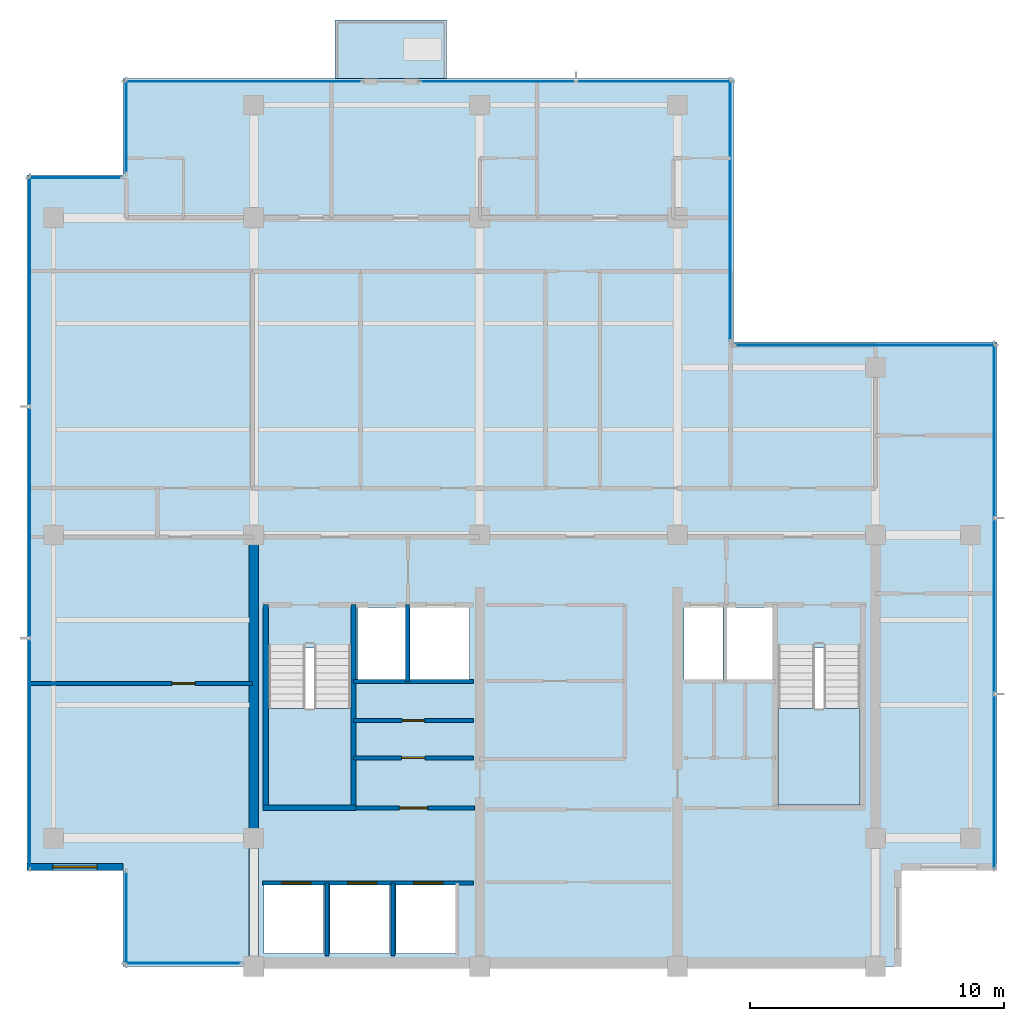
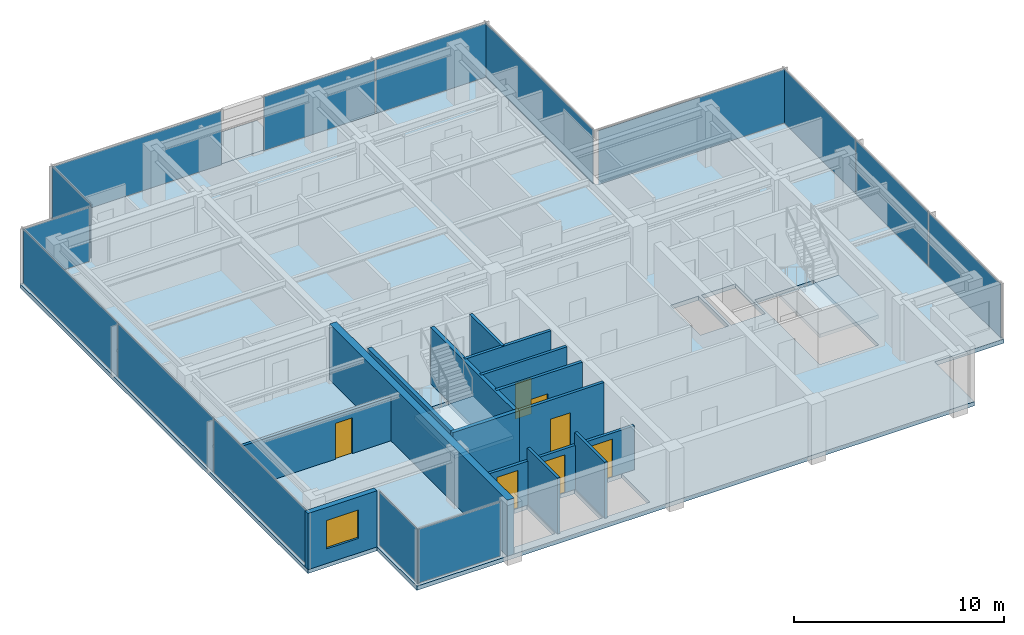
# One storey, part 5 of 11: 15 plates, 14 walls, 7 doors, 4 slabs, 1 window, 8 openings, 12 elements without a shape of their own.
"""IFC4 building model written with IfcOpenShell, lengths in metres."""

import ifcopenshell
import ifcopenshell.guid

model = None  # the IFC model being written
_history = None  # IfcOwnerHistory: only IFC2X3 demands one
_inside = {}  # id of a spatial element -> (the spatial element, [elements in it])
_under = {}  # id of a project, library or spatial element -> (it, [spatial elements below it])
_declared = {}  # id of a project -> (the project, [libraries it declares])
_typed = {}  # id of a type object -> (the type object, [elements of that type])
_made_of = {}  # id of a material, layer set ... -> (it, [elements and type objects made of it])


def new_model(schema):
    """Start an empty IFC model of exactly this schema.

    Asked for "IFC4X3", IfcOpenShell would pick the latest addendum, in which some entities
    have other attributes; the version numbers below select the first issue.
    IFC2X3 requires an IfcOwnerHistory on every rooted entity: one is made here for all.
    """
    global model, _history
    if schema == "IFC4X3":
        model = ifcopenshell.file(schema_version=(4, 3, 0, 0))
    else:
        model = ifcopenshell.file(schema=schema)
    _inside.clear()
    _under.clear()
    _declared.clear()
    _typed.clear()
    _made_of.clear()
    _history = None
    if model.schema == "IFC2X3":
        org = make("IfcOrganization", Name="unknown")
        user = make(
            "IfcPersonAndOrganization",
            ThePerson=make("IfcPerson", FamilyName="unknown"),
            TheOrganization=org,
        )
        app = make(
            "IfcApplication",
            ApplicationDeveloper=org,
            Version="unknown",
            ApplicationFullName="unknown",
            ApplicationIdentifier="unknown",
        )
        _history = make(
            "IfcOwnerHistory",
            OwningUser=user,
            OwningApplication=app,
            ChangeAction="ADDED",
            CreationDate=0,
        )
    return model


def make(cls, **values):
    """One entity of the class cls with the attributes given. An attribute that is None is left unset."""
    return model.create_entity(
        cls, **{name: value for name, value in values.items() if value is not None}
    )


def rooted(cls, **values):
    """An entity with a GlobalId (a new one), such as an element, a storey or a relation."""
    return make(cls, GlobalId=ifcopenshell.guid.new(), OwnerHistory=_history, **values)


def si_unit(unit_type, name, prefix=None):
    """IfcSIUnit, for example si_unit("LENGTHUNIT", "METRE", prefix="MILLI")."""
    return make("IfcSIUnit", UnitType=unit_type, Prefix=prefix, Name=name)


def assignment(units):
    """IfcUnitAssignment: the units of a project."""
    return None if units is None else make("IfcUnitAssignment", Units=units)


def point(xyz):
    """IfcCartesianPoint."""
    return None if xyz is None else make("IfcCartesianPoint", Coordinates=xyz)


def direction(xyz):
    """IfcDirection."""
    return None if xyz is None else make("IfcDirection", DirectionRatios=xyz)


def frame(location, z_axis=None, x_axis=None):
    """IfcAxis2Placement3D, a coordinate frame: its origin and axes. An axis left out is left unset."""
    return make(
        "IfcAxis2Placement3D",
        Location=point(location),
        Axis=direction(z_axis),
        RefDirection=direction(x_axis),
    )


def frame_2d(location, x_axis=None):
    """IfcAxis2Placement2D, a coordinate frame in the plane: its origin and x axis."""
    return make(
        "IfcAxis2Placement2D", Location=point(location), RefDirection=direction(x_axis)
    )


def origin():
    """The frame at (0, 0, 0) with its axes left unset."""
    return frame((0.0, 0.0, 0.0))


def origin_2d():
    """The frame at (0, 0) in the plane with its x axis left unset."""
    return frame_2d((0.0, 0.0))


def place(relative_to, where):
    """IfcLocalPlacement: puts the frame where relative to a parent placement (None: the world)."""
    return make(
        "IfcLocalPlacement", PlacementRelTo=relative_to, RelativePlacement=where
    )


def context(
    kind, dimensions, precision=None, world=None, true_north=None, identifier=None
):
    """IfcGeometricRepresentationContext, for example the 3D "Model" context."""
    return make(
        "IfcGeometricRepresentationContext",
        ContextIdentifier=identifier,
        ContextType=kind,
        CoordinateSpaceDimension=dimensions,
        Precision=precision,
        WorldCoordinateSystem=world,
        TrueNorth=true_north,
    )


def subcontext(parent, identifier, kind, view, scale=None):
    """IfcGeometricRepresentationSubContext, for example "Body" below "Model"."""
    return make(
        "IfcGeometricRepresentationSubContext",
        ContextIdentifier=identifier,
        ContextType=kind,
        ParentContext=parent,
        TargetScale=scale,
        TargetView=view,
    )


def project(units=None, contexts=None):
    """IfcProject with its units and contexts."""
    return rooted(
        "IfcProject",
        Name="project",
        RepresentationContexts=contexts,
        UnitsInContext=assignment(units),
    )


def spatial(cls, under=None, at=None, **own):
    """A site, building, storey or space (cls), placed at a placement, below another one or the project."""
    s = rooted(cls, ObjectPlacement=at, **own)
    if under is not None:
        _under.setdefault(under.id(), (under, []))[1].append(s)
    return s


def polyline(points):
    """IfcPolyline through the points."""
    return make("IfcPolyline", Points=[point(p) for p in points])


def profile(cls, at=None, kind="AREA", **sizes):
    """A parametric profile (cls). Its sizes go by their IFC names, for example OverallWidth=200.0."""
    return make(cls, ProfileType=kind, Position=at, **sizes)


def rectangle(**sizes):
    """IfcRectangleProfileDef."""
    return profile("IfcRectangleProfileDef", **sizes)


def outline(outer, holes=None, kind="AREA"):
    """IfcArbitraryClosedProfileDef: a profile drawn as a closed curve; with holes, ...WithVoids."""
    if holes is None:
        return make("IfcArbitraryClosedProfileDef", ProfileType=kind, OuterCurve=outer)
    return make(
        "IfcArbitraryProfileDefWithVoids",
        ProfileType=kind,
        OuterCurve=outer,
        InnerCurves=holes,
    )


def extrude(swept, where, along, depth):
    """IfcExtrudedAreaSolid: the profile swept, set in the frame where, extruded along a direction by depth."""
    return make(
        "IfcExtrudedAreaSolid",
        SweptArea=swept,
        Position=where,
        ExtrudedDirection=direction(along),
        Depth=depth,
    )


def shape(context_of_items, identifier, shape_type, items):
    """IfcShapeRepresentation: the items that make up one representation, for example the "Body"."""
    return make(
        "IfcShapeRepresentation",
        ContextOfItems=context_of_items,
        RepresentationIdentifier=identifier,
        RepresentationType=shape_type,
        Items=items,
    )


def material(Name=None, Category=None):
    """IfcMaterial."""
    return make("IfcMaterial", Name=Name, Category=Category)


def layer(
    of_material, thickness, ventilated=None, Name=None, Category=None, Priority=None
):
    """IfcMaterialLayer: one layer of a wall or slab, of a material (None: an air gap)."""
    return make(
        "IfcMaterialLayer",
        Material=of_material,
        LayerThickness=thickness,
        IsVentilated=ventilated,
        Name=Name,
        Category=Category,
        Priority=Priority,
    )


def layer_set(layers, Name=None):
    """IfcMaterialLayerSet."""
    return make("IfcMaterialLayerSet", MaterialLayers=layers, LayerSetName=Name)


def made_of(thing, what):
    """Note that an element or type object is made of a material, layer set ...; save() writes the relation."""
    if what is not None:
        _made_of.setdefault(what.id(), (what, []))[1].append(thing)
    return thing


def type_object(cls, material=None, **own):
    """A type object (cls), such as IfcWallType, which elements share."""
    return made_of(rooted(cls, **own), material)


def element(
    cls,
    number,
    at=None,
    inside=None,
    cuts=None,
    type_object=None,
    material=None,
    context=None,
    identifier="Body",
    shape_type=None,
    held_by="IfcProductDefinitionShape",
    body=None,
    shapes=None,
    **own,
):
    """One element of the class cls, such as IfcWall. Its Tag is "e" and its number.

    at: its placement. inside: the storey or other place that contains it. cuts: it is an
    opening in that element (IfcRelVoidsElement). A single representation is given by context,
    identifier, shape_type and body (its items); several are given by shapes. held_by: the class
    of the entity that holds the representations. save() writes the other relations.
    """
    e = rooted(cls, Tag="e%d" % number, ObjectPlacement=at, **own)
    if body is not None:
        shapes = [shape(context, identifier, shape_type, body)]
    if shapes is not None:
        e.Representation = make(held_by, Representations=shapes)
    if inside is not None:
        _inside.setdefault(inside.id(), (inside, []))[1].append(e)
    if cuts is not None:
        rooted(
            "IfcRelVoidsElement", RelatingBuildingElement=cuts, RelatedOpeningElement=e
        )
    if type_object is not None:
        _typed.setdefault(type_object.id(), (type_object, []))[1].append(e)
    return made_of(e, material)


def fill(opening, filler):
    """IfcRelFillsElement: the door or window that sits in an opening."""
    return rooted(
        "IfcRelFillsElement",
        RelatingOpeningElement=opening,
        RelatedBuildingElement=filler,
    )


def aggregate(whole, parts):
    """IfcRelAggregates: a whole, such as a stair, and the parts it consists of."""
    return rooted("IfcRelAggregates", RelatingObject=whole, RelatedObjects=parts)


def save(model, path):
    """Write the relations noted so far, then the file.

    IfcRelAggregates (storeys below a building ...), IfcRelContainedInSpatialStructure (elements
    in a storey), IfcRelDefinesByType, IfcRelAssociatesMaterial and IfcRelDeclares: one each for
    every whole, place, type object, material and project.
    """
    for whole, parts in _under.values():
        aggregate(whole, parts)
    for where, things in _inside.values():
        rooted(
            "IfcRelContainedInSpatialStructure",
            RelatedElements=things,
            RelatingStructure=where,
        )
    for kind, things in _typed.values():
        rooted("IfcRelDefinesByType", RelatedObjects=things, RelatingType=kind)
    for what, things in _made_of.values():
        rooted("IfcRelAssociatesMaterial", RelatedObjects=things, RelatingMaterial=what)
    for by, libraries in _declared.values():
        rooted("IfcRelDeclares", RelatingContext=by, RelatedDefinitions=libraries)
    model.write(path)


model = new_model("IFC4")

# Units and contexts
model_context = context("Model", 3, precision=1e-05, world=origin(), true_north=direction((0.0, 1.0)))
body_context = subcontext(model_context, "Body", "Model", "MODEL_VIEW")
ifc_project = project(units=[si_unit("LENGTHUNIT", "METRE"), si_unit("AREAUNIT", "SQUARE_METRE"), si_unit("VOLUMEUNIT", "CUBIC_METRE"), si_unit("PLANEANGLEUNIT", "RADIAN"), si_unit("MASSUNIT", "GRAM", prefix="KILO")], contexts=[model_context])

# Site, building, storey
site_placement = place(None, origin())
site = spatial("IfcSite", under=ifc_project, at=site_placement, CompositionType="ELEMENT")
building_placement = place(site_placement, origin())
building = spatial("IfcBuilding", under=site, at=building_placement, Name="Qalmaran Belvedere Hotel", CompositionType="ELEMENT")
storey_placement = place(building_placement, frame((0.0, 0.0, 245.89990234375)))
storey = spatial("IfcBuildingStorey", under=building, at=storey_placement, Name="L63", CompositionType="ELEMENT", Elevation=245.89990234375)

# Curtain wall, plate
ifc_material_1 = material(Name="Anodised Bronze Aluminium", Category="aluminium")
ifc_layer_1 = layer(ifc_material_1, 0.18505859375, Name="Anodised Bronze Aluminium")
ifc_layer_set_1 = layer_set([ifc_layer_1], Name="Anodised Bronze Aluminium")
curtain_wall_type = type_object("IfcCurtainWallType", Name="CW6-TOWER-SKY", PredefinedType="NOTDEFINED", material=ifc_layer_set_1)
curtain_wall_1_placement = place(storey_placement, origin())
curtain_wall_1 = element("IfcCurtainWall", 1, at=curtain_wall_1_placement, inside=storey, type_object=curtain_wall_type, Name="L63 Curtain Wall CW6", PredefinedType="NOTDEFINED")
ifc_material_2 = material(Name="Solar-Control Double Glazing", Category="glass")
ifc_layer_2 = layer(ifc_material_2, 0.028076171875, Name="Solar-Control Double Glazing")
ifc_layer_set_2 = layer_set([ifc_layer_2], Name="Solar-Control Double Glazing")
plate_type = type_object("IfcPlateType", Name="CWP-VISION-28", PredefinedType="CURTAIN_PANEL", material=ifc_layer_set_2)
plate_1_placement = place(storey_placement, frame((17.5048828125, 3.6201171875, 0.065185546875), z_axis=(0.0, 0.0, 1.0), x_axis=(1.0, 0.0, 0.0)))
plate_1 = element("IfcPlate", 2, at=plate_1_placement, type_object=plate_type, Name="CW6 panel 1.1", PredefinedType="CURTAIN_PANEL", context=body_context, shape_type="SweptSolid", body=[
    extrude(rectangle(XDim=4.580078125, YDim=0.028076171875, at=origin_2d()), origin(), (0.0, 0.0, 1.0), 3.1298828125),
])
aggregate(curtain_wall_1, [plate_1])

# Curtain wall, plates
curtain_wall_2_placement = place(storey_placement, origin())
curtain_wall_2 = element("IfcCurtainWall", 3, at=curtain_wall_2_placement, inside=storey, type_object=curtain_wall_type, Name="L63 Curtain Wall CW6", PredefinedType="NOTDEFINED")
plate_2_placement = place(storey_placement, frame((49.47998046875, 10.782958984375, 0.065185546875), z_axis=(0.0, 0.0, 1.0), x_axis=(0.0, 1.0, 0.0)))
plate_2 = element("IfcPlate", 4, at=plate_2_placement, type_object=plate_type, Name="CW6 panel 1.1", PredefinedType="CURTAIN_PANEL", context=body_context, shape_type="SweptSolid", body=[
    extrude(rectangle(XDim=6.8359375, YDim=0.028076171875, at=origin_2d()), origin(), (0.0, 0.0, 1.0), 3.1298828125),
])
plate_3_placement = place(storey_placement, frame((49.47998046875, 17.699951171875, 0.065185546875), z_axis=(0.0, 0.0, 1.0), x_axis=(0.0, 1.0, 0.0)))
plate_3 = element("IfcPlate", 5, at=plate_3_placement, type_object=plate_type, Name="CW6 panel 2.1", PredefinedType="CURTAIN_PANEL", context=body_context, shape_type="SweptSolid", body=[
    extrude(rectangle(XDim=6.868408203125, YDim=0.028076171875, at=origin_2d()), origin(), (0.0, 0.0, 1.0), 3.1298828125),
])
plate_4_placement = place(storey_placement, frame((49.47998046875, 24.6171875, 0.065185546875), z_axis=(0.0, 0.0, 1.0), x_axis=(0.0, 1.0, 0.0)))
plate_4 = element("IfcPlate", 6, at=plate_4_placement, type_object=plate_type, Name="CW6 panel 3.1", PredefinedType="CURTAIN_PANEL", context=body_context, shape_type="SweptSolid", body=[
    extrude(rectangle(XDim=6.8359375, YDim=0.028076171875, at=origin_2d()), origin(), (0.0, 0.0, 1.0), 3.1298828125),
])
aggregate(curtain_wall_2, [plate_2, plate_3, plate_4])

# Curtain wall, plate
curtain_wall_3_placement = place(storey_placement, origin())
curtain_wall_3 = element("IfcCurtainWall", 7, at=curtain_wall_3_placement, inside=storey, type_object=curtain_wall_type, Name="L63 Curtain Wall CW6", PredefinedType="NOTDEFINED")
plate_5_placement = place(storey_placement, frame((44.39990234375, 27.97998046875, 0.065185546875), z_axis=(0.0, 0.0, 1.0), x_axis=(-1.0, 0.0, 0.0)))
plate_5 = element("IfcPlate", 8, at=plate_5_placement, type_object=plate_type, Name="CW6 panel 1.1", PredefinedType="CURTAIN_PANEL", context=body_context, shape_type="SweptSolid", body=[
    extrude(rectangle(XDim=10.27001953125, YDim=0.028076171875, at=origin_2d()), origin(), (0.0, 0.0, 1.0), 3.1298828125),
])
aggregate(curtain_wall_3, [plate_5])

curtain_wall_4_placement = place(storey_placement, origin())
curtain_wall_4 = element("IfcCurtainWall", 9, at=curtain_wall_4_placement, inside=storey, type_object=curtain_wall_type, Name="L63 Curtain Wall CW6", PredefinedType="NOTDEFINED")
plate_6_placement = place(storey_placement, frame((39.080078125, 33.300048828125, 0.065185546875), z_axis=(0.0, 0.0, 1.0), x_axis=(0.0, 1.0, 0.0)))
plate_6 = element("IfcPlate", 10, at=plate_6_placement, type_object=plate_type, Name="CW6 panel 1.1", PredefinedType="CURTAIN_PANEL", context=body_context, shape_type="SweptSolid", body=[
    extrude(rectangle(XDim=10.27001953125, YDim=0.028076171875, at=origin_2d()), origin(), (0.0, 0.0, 1.0), 3.1298828125),
])
aggregate(curtain_wall_4, [plate_6])

curtain_wall_5_placement = place(storey_placement, origin())
curtain_wall_5 = element("IfcCurtainWall", 11, at=curtain_wall_5_placement, inside=storey, type_object=curtain_wall_type, Name="L63 Curtain Wall CW6", PredefinedType="NOTDEFINED")
plate_7_placement = place(storey_placement, frame((19.875, 38.3798828125, 0.065185546875), z_axis=(0.0, 0.0, 1.0), x_axis=(-1.0, 0.0, 0.0)))
plate_7 = element("IfcPlate", 12, at=plate_7_placement, type_object=plate_type, Name="CW6 panel 1.1", PredefinedType="CURTAIN_PANEL", context=body_context, shape_type="SweptSolid", body=[
    extrude(rectangle(XDim=9.320068359375, YDim=0.028076171875, at=origin_2d()), origin(), (0.0, 0.0, 1.0), 3.1298828125),
])
aggregate(curtain_wall_5, [plate_7])

# Curtain wall, plates
curtain_wall_6_placement = place(storey_placement, origin())
curtain_wall_6 = element("IfcCurtainWall", 13, at=curtain_wall_6_placement, inside=storey, type_object=curtain_wall_type, Name="L63 Curtain Wall CW6", PredefinedType="NOTDEFINED")
plate_8_placement = place(storey_placement, frame((36.083740234375, 38.3798828125, 0.065185546875), z_axis=(0.0, 0.0, 1.0), x_axis=(-1.0, 0.0, 0.0)))
plate_8 = element("IfcPlate", 14, at=plate_8_placement, type_object=plate_type, Name="CW6 panel 1.1", PredefinedType="CURTAIN_PANEL", context=body_context, shape_type="SweptSolid", body=[
    extrude(rectangle(XDim=6.1025390625, YDim=0.028076171875, at=origin_2d()), origin(), (0.0, 0.0, 1.0), 3.1298828125),
])
plate_9_placement = place(storey_placement, frame((29.916259765625, 38.3798828125, 0.065185546875), z_axis=(0.0, 0.0, 1.0), x_axis=(-1.0, 0.0, 0.0)))
plate_9 = element("IfcPlate", 15, at=plate_9_placement, type_object=plate_type, Name="CW6 panel 2.1", PredefinedType="CURTAIN_PANEL", context=body_context, shape_type="SweptSolid", body=[
    extrude(rectangle(XDim=6.1025390625, YDim=0.028076171875, at=origin_2d()), origin(), (0.0, 0.0, 1.0), 3.1298828125),
])
aggregate(curtain_wall_6, [plate_8, plate_9])

# Curtain wall, plate
curtain_wall_7_placement = place(storey_placement, origin())
curtain_wall_7 = element("IfcCurtainWall", 16, at=curtain_wall_7_placement, inside=storey, type_object=curtain_wall_type, Name="L63 Curtain Wall CW6", PredefinedType="NOTDEFINED")
plate_10_placement = place(storey_placement, frame((15.27001953125, 36.60009765625, 0.065185546875), z_axis=(0.0, 0.0, 1.0), x_axis=(0.0, -1.0, 0.0)))
plate_10 = element("IfcPlate", 17, at=plate_10_placement, type_object=plate_type, Name="CW6 panel 1.1", PredefinedType="CURTAIN_PANEL", context=body_context, shape_type="SweptSolid", body=[
    extrude(rectangle(XDim=3.669921875, YDim=0.028076171875, at=origin_2d()), origin(), (0.0, 0.0, 1.0), 3.1298828125),
])
aggregate(curtain_wall_7, [plate_10])

curtain_wall_8_placement = place(storey_placement, origin())
curtain_wall_8 = element("IfcCurtainWall", 18, at=curtain_wall_8_placement, inside=storey, type_object=curtain_wall_type, Name="L63 Curtain Wall CW6", PredefinedType="NOTDEFINED")
plate_11_placement = place(storey_placement, frame((13.25, 34.580078125, 0.065185546875), z_axis=(0.0, 0.0, 1.0), x_axis=(-1.0, 0.0, 0.0)))
plate_11 = element("IfcPlate", 19, at=plate_11_placement, type_object=plate_type, Name="CW6 panel 1.1", PredefinedType="CURTAIN_PANEL", context=body_context, shape_type="SweptSolid", body=[
    extrude(rectangle(XDim=3.669921875, YDim=0.028076171875, at=origin_2d()), origin(), (0.0, 0.0, 1.0), 3.1298828125),
])
aggregate(curtain_wall_8, [plate_11])

# Curtain wall, plates
curtain_wall_9_placement = place(storey_placement, origin())
curtain_wall_9 = element("IfcCurtainWall", 20, at=curtain_wall_9_placement, inside=storey, type_object=curtain_wall_type, Name="L63 Curtain Wall CW6", PredefinedType="NOTDEFINED")
plate_12_placement = place(storey_placement, frame((11.469970703125, 30.1171875, 0.065185546875), z_axis=(0.0, 0.0, 1.0), x_axis=(0.0, -1.0, 0.0)))
plate_12 = element("IfcPlate", 21, at=plate_12_placement, type_object=plate_type, Name="CW6 panel 1.1", PredefinedType="CURTAIN_PANEL", context=body_context, shape_type="SweptSolid", body=[
    extrude(rectangle(XDim=9.035888671875, YDim=0.028076171875, at=origin_2d()), origin(), (0.0, 0.0, 1.0), 3.1298828125),
])
plate_13_placement = place(storey_placement, frame((11.469970703125, 21.0, 0.065185546875), z_axis=(0.0, 0.0, 1.0), x_axis=(0.0, -1.0, 0.0)))
plate_13 = element("IfcPlate", 22, at=plate_13_placement, type_object=plate_type, Name="CW6 panel 2.1", PredefinedType="CURTAIN_PANEL", context=body_context, shape_type="SweptSolid", body=[
    extrude(rectangle(XDim=9.068359375, YDim=0.028076171875, at=origin_2d()), origin(), (0.0, 0.0, 1.0), 3.1298828125),
])
plate_14_placement = place(storey_placement, frame((11.469970703125, 11.8828125, 0.065185546875), z_axis=(0.0, 0.0, 1.0), x_axis=(0.0, -1.0, 0.0)))
plate_14 = element("IfcPlate", 23, at=plate_14_placement, type_object=plate_type, Name="CW6 panel 3.1", PredefinedType="CURTAIN_PANEL", context=body_context, shape_type="SweptSolid", body=[
    extrude(rectangle(XDim=9.035888671875, YDim=0.028076171875, at=origin_2d()), origin(), (0.0, 0.0, 1.0), 3.1298828125),
])
aggregate(curtain_wall_9, [plate_12, plate_13, plate_14])

# Curtain wall, plate
curtain_wall_10_placement = place(storey_placement, origin())
curtain_wall_10 = element("IfcCurtainWall", 24, at=curtain_wall_10_placement, inside=storey, type_object=curtain_wall_type, Name="L63 Curtain Wall CW6", PredefinedType="NOTDEFINED")
plate_15_placement = place(storey_placement, frame((15.27001953125, 5.39990234375, 0.065185546875), z_axis=(0.0, 0.0, 1.0), x_axis=(0.0, -1.0, 0.0)))
plate_15 = element("IfcPlate", 25, at=plate_15_placement, type_object=plate_type, Name="CW6 panel 1.1", PredefinedType="CURTAIN_PANEL", context=body_context, shape_type="SweptSolid", body=[
    extrude(rectangle(XDim=3.669921875, YDim=0.028076171875, at=origin_2d()), origin(), (0.0, 0.0, 1.0), 3.1298828125),
])
aggregate(curtain_wall_10, [plate_15])

# Slab
ifc_material_3 = material(Name="Concrete C40/50", Category="concrete")
ifc_layer_3 = layer(ifc_material_3, 0.219970703125, Name="Concrete C40/50")
ifc_layer_set_3 = layer_set([ifc_layer_3], Name="Concrete C40/50")
slab_type_1 = type_object("IfcSlabType", Name="SLB-BAL-220", PredefinedType="USERDEFINED", material=ifc_layer_set_3)
slab_1_placement = place(storey_placement, frame((0.0, 0.0, -0.219970703125)))
element("IfcSlab", 26, at=slab_1_placement, inside=storey, type_object=slab_type_1, Name="L63 Planted Tree Balcony Slab 1", ObjectType="BALCONY", PredefinedType="USERDEFINED", context=body_context, shape_type="SweptSolid", body=[
    extrude(outline(polyline([(23.5, 38.5), (27.89990234375, 38.5), (27.89990234375, 40.800048828125), (23.5, 40.800048828125), (23.5, 38.5)])), origin(), (0.0, 0.0, 1.0), 0.219970703125),
])

# Stair, slab
stair_type_1 = type_object("IfcStairType", Name="STR-ST-1-1450-R1750", PredefinedType="HALF_TURN_STAIR", material=ifc_material_3)
stair_1_placement = place(storey_placement, origin())
stair_1 = element("IfcStair", 27, at=stair_1_placement, inside=storey, type_object=stair_type_1, Name="L63 West Core Exit Stair ST-1", PredefinedType="HALF_TURN_STAIR")
ifc_layer_4 = layer(ifc_material_3, 0.199951171875, Name="Concrete C40/50")
ifc_layer_set_4 = layer_set([ifc_layer_4], Name="Concrete C40/50")
slab_type_2 = type_object("IfcSlabType", Name="SLB-STAIR-LANDING-200", PredefinedType="LANDING", material=ifc_layer_set_4)
slab_2_placement = place(storey_placement, frame((0.0, 0.0, 1.550048828125)))
slab_2 = element("IfcSlab", 28, at=slab_2_placement, type_object=slab_type_2, Name="ST-1 landing 1", PredefinedType="LANDING", context=body_context, shape_type="SweptSolid", body=[
    extrude(outline(polyline([(20.8798828125, 13.669921875), (20.8798828125, 9.85009765625), (24.1201171875, 9.85009765625), (24.1201171875, 13.669921875), (20.8798828125, 13.669921875)])), origin(), (0.0, 0.0, 1.0), 0.199951171875),
])
aggregate(stair_1, [slab_2])

stair_type_2 = type_object("IfcStairType", Name="STR-ST-2-1450-R1750", PredefinedType="HALF_TURN_STAIR", material=ifc_material_3)
stair_2_placement = place(storey_placement, origin())
stair_2 = element("IfcStair", 29, at=stair_2_placement, inside=storey, type_object=stair_type_2, Name="L63 East Core Exit Stair ST-2", PredefinedType="HALF_TURN_STAIR")
slab_3_placement = place(storey_placement, frame((0.0, 0.0, 1.550048828125)))
slab_3 = element("IfcSlab", 30, at=slab_3_placement, type_object=slab_type_2, Name="ST-2 landing 1", PredefinedType="LANDING", context=body_context, shape_type="SweptSolid", body=[
    extrude(outline(polyline([(40.9599609375, 13.669921875), (40.9599609375, 9.85009765625), (44.199951171875, 9.85009765625), (44.199951171875, 13.669921875), (40.9599609375, 13.669921875)])), origin(), (0.0, 0.0, 1.0), 0.199951171875),
])
aggregate(stair_2, [slab_3])

# Slab
ifc_layer_5 = layer(ifc_material_3, 0.239990234375, Name="Concrete C40/50")
ifc_layer_set_5 = layer_set([ifc_layer_5], Name="Concrete C40/50")
slab_type_3 = type_object("IfcSlabType", Name="SLB-Z4-240", PredefinedType="FLOOR", material=ifc_layer_set_5)
slab_4_placement = place(storey_placement, frame((0.0, 0.0, -0.239990234375)))
element("IfcSlab", 31, at=slab_4_placement, inside=storey, type_object=slab_type_3, Name="L63 Structural Floor Slab", PredefinedType="FLOOR", context=body_context, shape_type="SweptSolid", body=[
    extrude(outline(polyline([(15.14990234375, 3.5), (45.800048828125, 3.5), (45.800048828125, 7.300048828125), (49.60009765625, 7.300048828125), (49.60009765625, 28.10009765625), (39.199951171875, 28.10009765625), (39.199951171875, 38.5), (15.14990234375, 38.5), (15.14990234375, 34.699951171875), (11.35009765625, 34.699951171875), (11.35009765625, 7.300048828125), (15.14990234375, 7.300048828125), (15.14990234375, 3.5)]), holes=[polyline([(20.8798828125, 9.85009765625), (24.1201171875, 9.85009765625), (24.1201171875, 16.0400390625), (20.8798828125, 16.0400390625), (20.8798828125, 9.85009765625)]), polyline([(40.9599609375, 9.85009765625), (44.199951171875, 9.85009765625), (44.199951171875, 16.0400390625), (40.9599609375, 16.0400390625), (40.9599609375, 9.85009765625)]), polyline([(20.699951171875, 4.0), (23.050048828125, 4.0), (23.050048828125, 6.699951171875), (20.699951171875, 6.699951171875), (20.699951171875, 4.0)]), polyline([(23.300048828125, 4.0), (25.64990234375, 4.0), (25.64990234375, 6.699951171875), (23.300048828125, 6.699951171875), (23.300048828125, 4.0)]), polyline([(25.89990234375, 4.0), (28.25, 4.0), (28.25, 6.699951171875), (25.89990234375, 6.699951171875), (25.89990234375, 4.0)]), polyline([(24.39990234375, 14.800048828125), (26.300048828125, 14.800048828125), (26.300048828125, 17.64990234375), (24.39990234375, 17.64990234375), (24.39990234375, 14.800048828125)]), polyline([(38.949951171875, 14.800048828125), (40.820068359375, 14.800048828125), (40.820068359375, 17.64990234375), (38.949951171875, 17.64990234375), (38.949951171875, 14.800048828125)]), polyline([(26.449951171875, 14.800048828125), (28.800048828125, 14.800048828125), (28.800048828125, 17.64990234375), (26.449951171875, 17.64990234375), (26.449951171875, 14.800048828125)]), polyline([(37.25, 14.800048828125), (38.800048828125, 14.800048828125), (38.800048828125, 17.64990234375), (37.25, 17.64990234375), (37.25, 14.800048828125)])]), origin(), (0.0, 0.0, 1.0), 0.239990234375),
])

# Wall
ifc_material_4 = material(Name="Concrete C50/60", Category="concrete")
ifc_layer_6 = layer(ifc_material_4, 0.3798828125, Name="Concrete C50/60")
ifc_layer_set_6 = layer_set([ifc_layer_6], Name="Concrete C50/60")
wall_type_1 = type_object("IfcWallType", Name="WL-CORE-380-C50", PredefinedType="SHEAR", material=ifc_layer_set_6)
wall_1_placement = place(storey_placement, frame((20.300048828125, 3.5, 0.0), z_axis=(0.0, 0.0, 1.0), x_axis=(0.0, 1.0, 0.0)))
element("IfcWall", 32, at=wall_1_placement, inside=storey, type_object=wall_type_1, Name="L63 West Core Shear Wall", PredefinedType="SHEAR", context=body_context, shape_type="SweptSolid", body=[
    extrude(rectangle(XDim=16.89990234375, YDim=0.3798828125, at=frame_2d((8.449951171875, 0.0))), origin(), (0.0, 0.0, 1.0), 3.260009765625),
])

# Wall, opening, window
ifc_material_5 = material(Name="Anodised Bronze Cladding")
ifc_layer_7 = layer(ifc_material_5, 0.280029296875, Name="Anodised Bronze Cladding")
ifc_layer_set_7 = layer_set([ifc_layer_7], Name="Anodised Bronze Cladding")
wall_type_2 = type_object("IfcWallType", Name="WL-EXT-BRNZ-280", PredefinedType="SOLIDWALL", material=ifc_layer_set_7)
wall_2_placement = place(storey_placement, frame((11.35009765625, 7.419921875, 0.0), z_axis=(0.0, 0.0, 1.0), x_axis=(1.0, 0.0, 0.0)))
wall_2 = element("IfcWall", 33, at=wall_2_placement, inside=storey, type_object=wall_type_2, Name="L63 Corner Notch Wall 10", PredefinedType="SOLIDWALL", context=body_context, shape_type="SweptSolid", body=[
    extrude(rectangle(XDim=3.7998046875, YDim=0.280029296875, at=frame_2d((1.89990234375, 0.0))), origin(), (0.0, 0.0, 1.0), 3.260009765625),
])
opening_1_placement = place(wall_2_placement, frame((1.02490234375, 0.0, 0.85009765625)))
opening_1 = element("IfcOpeningElement", 34, at=opening_1_placement, cuts=wall_2, Name="Opening W-N17", PredefinedType="OPENING", context=body_context, shape_type="SweptSolid", body=[
    extrude(rectangle(XDim=1.75, YDim=1.64990234375, at=frame_2d((0.875, 0.824951171875))), frame((0.0, 0.14990234375, 0.0), z_axis=(0.0, -1.0, 0.0), x_axis=(1.0, 0.0, 0.0)), (0.0, 0.0, 1.0), 0.300048828125),
])
window_type = type_object("IfcWindowType", Name="WN-NTC-1750X1650", PartitioningType="SINGLE_PANEL", PredefinedType="WINDOW", material=ifc_material_2)
window_placement = place(opening_1_placement, origin())
window = element("IfcWindow", 35, at=window_placement, inside=storey, type_object=window_type, Name="L63 Corner Notch Window 10", OverallHeight=1.64990234375, OverallWidth=1.75, PartitioningType="SINGLE_PANEL", PredefinedType="WINDOW", context=body_context, shape_type="SweptSolid", body=[
    extrude(rectangle(XDim=1.75, YDim=1.64990234375, at=frame_2d((0.875, 0.824951171875))), frame((0.0, 0.030029296875, 0.0), z_axis=(0.0, -1.0, 0.0), x_axis=(1.0, 0.0, 0.0)), (0.0, 0.0, 1.0), 0.06005859375),
])
fill(opening_1, window)

# Walls
ifc_material_6 = material(Name="Gypsum Stud Partition")
ifc_layer_8 = layer(ifc_material_6, 0.14990234375, Name="Gypsum Stud Partition")
ifc_layer_set_8 = layer_set([ifc_layer_8], Name="Gypsum Stud Partition")
wall_type_3 = type_object("IfcWallType", Name="WL-INT-150-EI120", PredefinedType="PARTITIONING", material=ifc_layer_set_8)
wall_3_placement = place(storey_placement, frame((26.360107421875, 14.719970703125, 0.0), z_axis=(0.0, 0.0, 1.0), x_axis=(0.0, 1.0, 0.0)))
element("IfcWall", 36, at=wall_3_placement, inside=storey, type_object=wall_type_3, Name="L63 Partition WL-FF1M-L63", PredefinedType="PARTITIONING", context=body_context, shape_type="SweptSolid", body=[
    extrude(rectangle(XDim=3.0400390625, YDim=0.14990234375, at=frame_2d((1.52001953125, 0.0))), origin(), (0.0, 0.0, 1.0), 3.260009765625),
])
for number, where, z_axis, x_axis, name in (
    (37, (23.179931640625, 3.89990234375, 0.0), (0.0, 0.0, 1.0), (0.0, 1.0, 0.0), "L63 Partition WL-POM1-L63"),
    (38, (25.780029296875, 3.89990234375, 0.0), (0.0, 0.0, 1.0), (0.0, 1.0, 0.0), "L63 Partition WL-POM2-L63"),
):
    element("IfcWall", number, at=place(storey_placement, frame(where, z_axis=z_axis, x_axis=x_axis)), inside=storey, type_object=wall_type_3, Name=name, PredefinedType="PARTITIONING", context=body_context, shape_type="SweptSolid", body=[
        extrude(rectangle(XDim=2.880126953125, YDim=0.14990234375, at=frame_2d((1.43994140625, 0.0))), origin(), (0.0, 0.0, 1.0), 3.260009765625),
    ])

# Wall, opening, door
ifc_layer_9 = layer(ifc_material_6, 0.14990234375, Name="Gypsum Stud Partition")
ifc_layer_set_9 = layer_set([ifc_layer_9], Name="Gypsum Stud Partition")
wall_type_4 = type_object("IfcWallType", Name="WL-INT-150-EI60", PredefinedType="PARTITIONING", material=ifc_layer_set_9)
wall_4_placement = place(storey_placement, frame((24.219970703125, 13.18505859375, 0.0), z_axis=(0.0, 0.0, 1.0), x_axis=(1.0, 0.0, 0.0)))
wall_4 = element("IfcWall", 39, at=wall_4_placement, inside=storey, type_object=wall_type_4, Name="L63 Partition WL-L63-KWHM", PredefinedType="PARTITIONING", context=body_context, shape_type="SweptSolid", body=[
    extrude(rectangle(XDim=4.72998046875, YDim=0.14990234375, at=frame_2d((2.364990234375, 0.0))), origin(), (0.0, 0.0, 1.0), 3.260009765625),
])
opening_2_placement = place(wall_4_placement, frame((1.925048828125, 0.0, 0.0)))
opening_2 = element("IfcOpeningElement", 40, at=opening_2_placement, cuts=wall_4, Name="Opening FD60B", PredefinedType="OPENING", context=body_context, shape_type="SweptSolid", body=[
    extrude(rectangle(XDim=0.8798828125, YDim=2.080078125, at=frame_2d((0.43994140625, 1.0400390625))), frame((0.0, 0.0849609375, 0.0), z_axis=(0.0, -1.0, 0.0), x_axis=(1.0, 0.0, 0.0)), (0.0, 0.0, 1.0), 0.169921875),
])
ifc_material_7 = material(Name="Steel S355JR", Category="steel")
door_type_1 = type_object("IfcDoorType", Name="DR-FD60B-880X2080", OperationType="NOTDEFINED", PredefinedType="DOOR", material=ifc_material_7)
door_1_placement = place(opening_2_placement, origin())
door_1 = element("IfcDoor", 41, at=door_1_placement, inside=storey, type_object=door_type_1, Name="L63 Staff Core WC Door", OperationType="SINGLE_SWING_LEFT", OverallHeight=2.080078125, OverallWidth=0.8798828125, PredefinedType="DOOR", context=body_context, shape_type="SweptSolid", body=[
    extrude(rectangle(XDim=0.8798828125, YDim=2.080078125, at=frame_2d((0.43994140625, 1.0400390625))), frame((0.0, 0.02490234375, 0.0), z_axis=(0.0, -1.0, 0.0), x_axis=(1.0, 0.0, 0.0)), (0.0, 0.0, 1.0), 0.050048828125),
])
fill(opening_2, door_1)

# Wall
ifc_layer_10 = layer(ifc_material_6, 0.159912109375, Name="Gypsum Stud Partition")
ifc_layer_set_10 = layer_set([ifc_layer_10], Name="Gypsum Stud Partition")
wall_type_5 = type_object("IfcWallType", Name="WL-INT-160-EI120", PredefinedType="PARTITIONING", material=ifc_layer_set_10)
wall_5_placement = place(storey_placement, frame((24.219970703125, 14.719970703125, 0.0), z_axis=(0.0, 0.0, 1.0), x_axis=(1.0, 0.0, 0.0)))
element("IfcWall", 42, at=wall_5_placement, inside=storey, type_object=wall_type_5, Name="L63 Partition WL-FF1S-L63", PredefinedType="PARTITIONING", context=body_context, shape_type="SweptSolid", body=[
    extrude(rectangle(XDim=4.72998046875, YDim=0.159912109375, at=frame_2d((2.364990234375, 0.0))), origin(), (0.0, 0.0, 1.0), 3.260009765625),
])

# Wall, openings, doors
wall_6_placement = place(storey_placement, frame((20.64990234375, 6.780029296875, 0.0), z_axis=(0.0, 0.0, 1.0), x_axis=(1.0, 0.0, 0.0)))
wall_6 = element("IfcWall", 43, at=wall_6_placement, inside=storey, type_object=wall_type_5, Name="L63 Partition WL-POS-L63", PredefinedType="PARTITIONING", context=body_context, shape_type="SweptSolid", body=[
    extrude(rectangle(XDim=8.300048828125, YDim=0.159912109375, at=frame_2d((4.14990234375, 0.0))), origin(), (0.0, 0.0, 1.0), 2.550048828125),
])
opening_3_placement = place(wall_6_placement, frame((0.75, 0.0, 0.0)))
opening_3 = element("IfcOpeningElement", 44, at=opening_3_placement, cuts=wall_6, Name="Opening LD-PO", PredefinedType="OPENING", context=body_context, shape_type="SweptSolid", body=[
    extrude(rectangle(XDim=1.14990234375, YDim=2.199951171875, at=frame_2d((0.574951171875, 1.10009765625))), frame((0.0, 0.08984375, 0.0), z_axis=(0.0, -1.0, 0.0), x_axis=(1.0, 0.0, 0.0)), (0.0, 0.0, 1.0), 0.179931640625),
])
opening_4_placement = place(wall_6_placement, frame((3.35009765625, 0.0, 0.0)))
opening_4 = element("IfcOpeningElement", 45, at=opening_4_placement, cuts=wall_6, Name="Opening LD-PO", PredefinedType="OPENING", context=body_context, shape_type="SweptSolid", body=[
    extrude(rectangle(XDim=1.14990234375, YDim=2.199951171875, at=frame_2d((0.574951171875, 1.10009765625))), frame((0.0, 0.08984375, 0.0), z_axis=(0.0, -1.0, 0.0), x_axis=(1.0, 0.0, 0.0)), (0.0, 0.0, 1.0), 0.179931640625),
])
opening_5_placement = place(wall_6_placement, frame((5.949951171875, 0.0, 0.0)))
opening_5 = element("IfcOpeningElement", 46, at=opening_5_placement, cuts=wall_6, Name="Opening LD-PO", PredefinedType="OPENING", context=body_context, shape_type="SweptSolid", body=[
    extrude(rectangle(XDim=1.14990234375, YDim=2.199951171875, at=frame_2d((0.574951171875, 1.10009765625))), frame((0.0, 0.08984375, 0.0), z_axis=(0.0, -1.0, 0.0), x_axis=(1.0, 0.0, 0.0)), (0.0, 0.0, 1.0), 0.179931640625),
])
door_type_2 = type_object("IfcDoorType", Name="DR-LIFT-PO-1150X2200", OperationType="DOUBLE_DOOR_SLIDING", PredefinedType="DOOR", material=ifc_material_1)
door_2_placement = place(opening_3_placement, origin())
door_2 = element("IfcDoor", 47, at=door_2_placement, inside=storey, type_object=door_type_2, Name="L63 PO1 Shuttle Landing Door", OperationType="DOUBLE_DOOR_SLIDING", OverallHeight=2.199951171875, OverallWidth=1.14990234375, PredefinedType="DOOR", context=body_context, shape_type="SweptSolid", body=[
    extrude(rectangle(XDim=1.14990234375, YDim=2.199951171875, at=frame_2d((0.574951171875, 1.10009765625))), frame((0.0, 0.02490234375, 0.0), z_axis=(0.0, -1.0, 0.0), x_axis=(1.0, 0.0, 0.0)), (0.0, 0.0, 1.0), 0.050048828125),
])
fill(opening_3, door_2)
door_3_placement = place(opening_4_placement, origin())
door_3 = element("IfcDoor", 48, at=door_3_placement, inside=storey, type_object=door_type_2, Name="L63 PO2 Shuttle Landing Door", OperationType="DOUBLE_DOOR_SLIDING", OverallHeight=2.199951171875, OverallWidth=1.14990234375, PredefinedType="DOOR", context=body_context, shape_type="SweptSolid", body=[
    extrude(rectangle(XDim=1.14990234375, YDim=2.199951171875, at=frame_2d((0.574951171875, 1.10009765625))), frame((0.0, 0.02490234375, 0.0), z_axis=(0.0, -1.0, 0.0), x_axis=(1.0, 0.0, 0.0)), (0.0, 0.0, 1.0), 0.050048828125),
])
fill(opening_4, door_3)
door_4_placement = place(opening_5_placement, origin())
door_4 = element("IfcDoor", 49, at=door_4_placement, inside=storey, type_object=door_type_2, Name="L63 PO3 Shuttle Landing Door", OperationType="DOUBLE_DOOR_SLIDING", OverallHeight=2.199951171875, OverallWidth=1.14990234375, PredefinedType="DOOR", context=body_context, shape_type="SweptSolid", body=[
    extrude(rectangle(XDim=1.14990234375, YDim=2.199951171875, at=frame_2d((0.574951171875, 1.10009765625))), frame((0.0, 0.02490234375, 0.0), z_axis=(0.0, -1.0, 0.0), x_axis=(1.0, 0.0, 0.0)), (0.0, 0.0, 1.0), 0.050048828125),
])
fill(opening_5, door_4)

# Wall, opening, door
wall_7_placement = place(storey_placement, frame((24.199951171875, 9.739990234375, 0.0), z_axis=(0.0, 0.0, 1.0), x_axis=(1.0, 0.0, 0.0)))
wall_7 = element("IfcWall", 50, at=wall_7_placement, inside=storey, type_object=wall_type_5, Name="L63 Partition WL-PON-L63", PredefinedType="PARTITIONING", context=body_context, shape_type="SweptSolid", body=[
    extrude(rectangle(XDim=4.800048828125, YDim=0.159912109375, at=frame_2d((2.39990234375, 0.0))), origin(), (0.0, 0.0, 1.0), 3.260009765625),
])
opening_6_placement = place(wall_7_placement, frame((1.85009765625, 0.0, 0.0)))
opening_6 = element("IfcOpeningElement", 51, at=opening_6_placement, cuts=wall_7, Name="Opening FD90", PredefinedType="OPENING", context=body_context, shape_type="SweptSolid", body=[
    extrude(rectangle(XDim=1.10009765625, YDim=2.14990234375, at=frame_2d((0.550048828125, 1.074951171875))), frame((0.0, 0.08984375, 0.0), z_axis=(0.0, -1.0, 0.0), x_axis=(1.0, 0.0, 0.0)), (0.0, 0.0, 1.0), 0.179931640625),
])
door_type_3 = type_object("IfcDoorType", Name="DR-FD90-1100X2150", OperationType="NOTDEFINED", PredefinedType="DOOR", material=ifc_material_7)
door_5_placement = place(opening_6_placement, origin())
door_5 = element("IfcDoor", 52, at=door_5_placement, inside=storey, type_object=door_type_3, Name="L63 Shuttle Lobby Passage Door", OperationType="SINGLE_SWING_LEFT", OverallHeight=2.14990234375, OverallWidth=1.10009765625, PredefinedType="DOOR", context=body_context, shape_type="SweptSolid", body=[
    extrude(rectangle(XDim=1.10009765625, YDim=2.14990234375, at=frame_2d((0.550048828125, 1.074951171875))), frame((0.0, 0.02490234375, 0.0), z_axis=(0.0, -1.0, 0.0), x_axis=(1.0, 0.0, 0.0)), (0.0, 0.0, 1.0), 0.050048828125),
])
fill(opening_6, door_5)

ifc_layer_11 = layer(ifc_material_6, 0.159912109375, Name="Gypsum Stud Partition")
ifc_layer_set_11 = layer_set([ifc_layer_11], Name="Gypsum Stud Partition")
wall_type_6 = type_object("IfcWallType", Name="WL-INT-160-EI60", PredefinedType="PARTITIONING", material=ifc_layer_set_11)
wall_8_placement = place(storey_placement, frame((24.219970703125, 11.719970703125, 0.0), z_axis=(0.0, 0.0, 1.0), x_axis=(1.0, 0.0, 0.0)))
wall_8 = element("IfcWall", 53, at=wall_8_placement, inside=storey, type_object=wall_type_6, Name="L63 Partition WL-L63-KWE1", PredefinedType="PARTITIONING", context=body_context, shape_type="SweptSolid", body=[
    extrude(rectangle(XDim=4.72998046875, YDim=0.159912109375, at=frame_2d((2.364990234375, 0.0))), origin(), (0.0, 0.0, 1.0), 3.260009765625),
])
opening_7_placement = place(wall_8_placement, frame((1.905029296875, 0.0, 0.0)))
opening_7 = element("IfcOpeningElement", 54, at=opening_7_placement, cuts=wall_8, Name="Opening FD60S1", PredefinedType="OPENING", context=body_context, shape_type="SweptSolid", body=[
    extrude(rectangle(XDim=0.919921875, YDim=2.080078125, at=frame_2d((0.4599609375, 1.0400390625))), frame((0.0, 0.08984375, 0.0), z_axis=(0.0, -1.0, 0.0), x_axis=(1.0, 0.0, 0.0)), (0.0, 0.0, 1.0), 0.179931640625),
])
ifc_material_8 = material(Name="Engineered Oak Veneer")
door_type_4 = type_object("IfcDoorType", Name="DR-FD60S-920X2080", OperationType="NOTDEFINED", PredefinedType="DOOR", material=ifc_material_8)
door_6_placement = place(opening_7_placement, origin())
door_6 = element("IfcDoor", 55, at=door_6_placement, inside=storey, type_object=door_type_4, Name="L63 Cleaner Supply Store Door", OperationType="SINGLE_SWING_RIGHT", OverallHeight=2.080078125, OverallWidth=0.919921875, PredefinedType="DOOR", context=body_context, shape_type="SweptSolid", body=[
    extrude(rectangle(XDim=0.919921875, YDim=2.080078125, at=frame_2d((0.4599609375, 1.0400390625))), frame((0.0, 0.02490234375, 0.0), z_axis=(0.0, -1.0, 0.0), x_axis=(1.0, 0.0, 0.0)), (0.0, 0.0, 1.0), 0.050048828125),
])
fill(opening_7, door_6)

wall_9_placement = place(storey_placement, frame((11.469970703125, 14.64990234375, 0.0), z_axis=(0.0, 0.0, 1.0), x_axis=(1.0, 0.0, 0.0)))
wall_9 = element("IfcWall", 56, at=wall_9_placement, inside=storey, type_object=wall_type_6, Name="L63 Partition WL-L63-C4WH1", PredefinedType="PARTITIONING", context=body_context, shape_type="SweptSolid", body=[
    extrude(rectangle(XDim=8.780029296875, YDim=0.159912109375, at=frame_2d((4.39013671875, 0.0))), origin(), (0.0, 0.0, 1.0), 2.550048828125),
])
opening_8_placement = place(wall_9_placement, frame((6.52001953125, 0.0, 0.0), z_axis=(0.0, 0.0, 1.0), x_axis=(-1.0, 0.0, 0.0)))
opening_8 = element("IfcOpeningElement", 57, at=opening_8_placement, cuts=wall_9, Name="Opening FD60S1", PredefinedType="OPENING", context=body_context, shape_type="SweptSolid", body=[
    extrude(rectangle(XDim=0.919921875, YDim=2.080078125, at=frame_2d((0.4599609375, 1.0400390625))), frame((0.0, 0.08984375, 0.0), z_axis=(0.0, -1.0, 0.0), x_axis=(1.0, 0.0, 0.0)), (0.0, 0.0, 1.0), 0.179931640625),
])
door_7_placement = place(opening_8_placement, origin())
door_7 = element("IfcDoor", 58, at=door_7_placement, inside=storey, type_object=door_type_4, Name="L63 SW Panorama Inner Door", OperationType="SINGLE_SWING_LEFT", OverallHeight=2.080078125, OverallWidth=0.919921875, PredefinedType="DOOR", context=body_context, shape_type="SweptSolid", body=[
    extrude(rectangle(XDim=0.919921875, YDim=2.080078125, at=frame_2d((0.4599609375, 1.0400390625))), frame((0.0, 0.02490234375, 0.0), z_axis=(0.0, -1.0, 0.0), x_axis=(1.0, 0.0, 0.0)), (0.0, 0.0, 1.0), 0.050048828125),
])
fill(opening_8, door_7)

# Walls
ifc_layer_12 = layer(ifc_material_4, 0.2099609375, Name="Concrete C50/60")
ifc_layer_set_12 = layer_set([ifc_layer_12], Name="Concrete C50/60")
wall_type_7 = type_object("IfcWallType", Name="WL-STAIR-210-C50", PredefinedType="SHEAR", material=ifc_layer_set_12)
for number, where, z_axis, x_axis, name in (
    (59, (20.77490234375, 9.7451171875, 0.0), (0.0, 0.0, 1.0), (0.0, 1.0, 0.0), "L63 Stair ST-1 West Bearing Wall"),
    (60, (24.22509765625, 9.7451171875, 0.0), (0.0, 0.0, 1.0), (0.0, 1.0, 0.0), "L63 Stair ST-1 East Bearing Wall"),
):
    element("IfcWall", number, at=place(storey_placement, frame(where, z_axis=z_axis, x_axis=x_axis)), inside=storey, type_object=wall_type_7, Name=name, PredefinedType="SHEAR", context=body_context, shape_type="SweptSolid", body=[
        extrude(rectangle(XDim=8.009765625, YDim=0.2099609375, at=frame_2d((4.0048828125, 0.0))), origin(), (0.0, 0.0, 1.0), 3.260009765625),
    ])
wall_10_placement = place(storey_placement, frame((20.669921875, 9.7451171875, 0.0), z_axis=(0.0, 0.0, 1.0), x_axis=(1.0, 0.0, 0.0)))
element("IfcWall", 61, at=wall_10_placement, inside=storey, type_object=wall_type_7, Name="L63 Stair ST-1 South Bearing Wall", PredefinedType="SHEAR", context=body_context, shape_type="SweptSolid", body=[
    extrude(rectangle(XDim=3.66015625, YDim=0.2099609375, at=frame_2d((1.830078125, 0.0))), origin(), (0.0, 0.0, 1.0), 3.260009765625),
])

save(model, "model.ifc")
